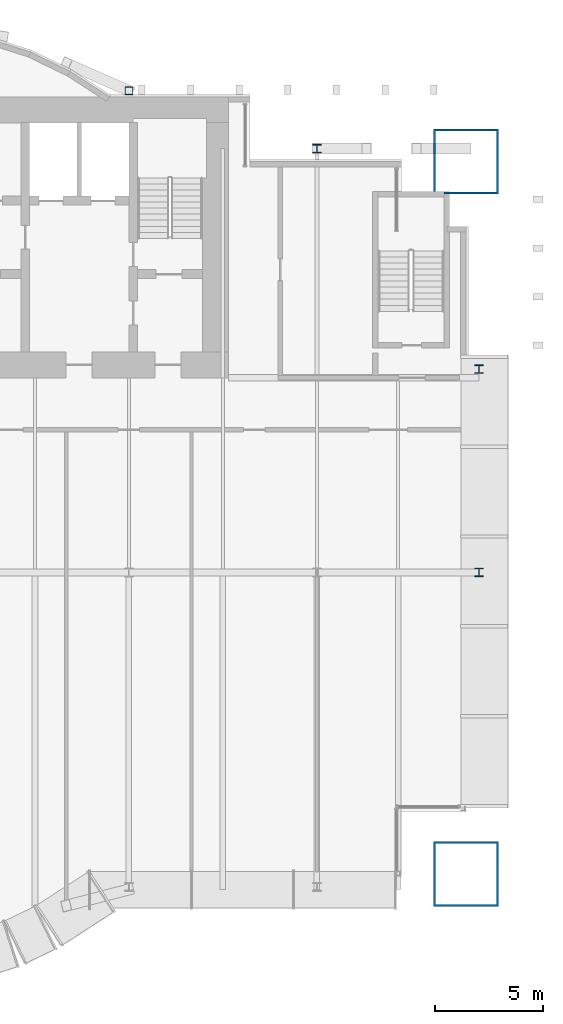
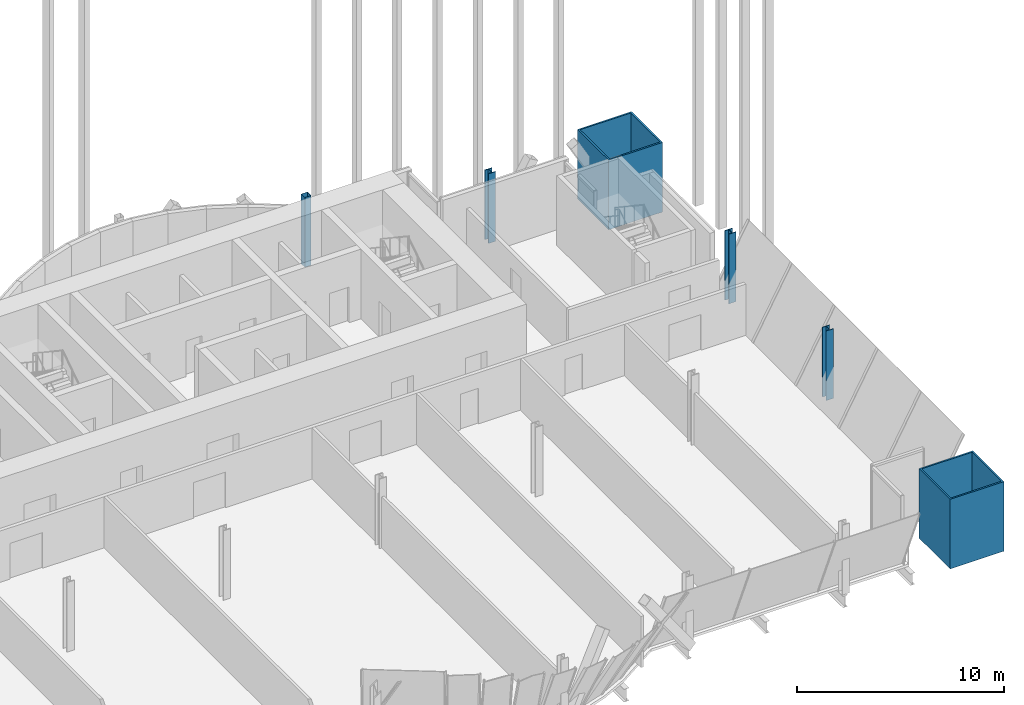
# One storey, part 3 of 22: 6 columns.
"""IFC4 building model written with IfcOpenShell, lengths in metres."""

from ifc_helpers import new_model, si_unit, direction, frame, origin, origin_2d, place, context, subcontext, project, spatial, hollow_rectangle, i_section, extrude, material, material_profile, profile_set, type_object, element, save


model = new_model("IFC4")

# Units and contexts
model_context = context("Model", 3, precision=1e-05, world=origin(), true_north=direction((0.0, 1.0)))
body_context = subcontext(model_context, "Body", "Model", "MODEL_VIEW")
ifc_project = project(units=[si_unit("LENGTHUNIT", "METRE"), si_unit("AREAUNIT", "SQUARE_METRE"), si_unit("VOLUMEUNIT", "CUBIC_METRE"), si_unit("PLANEANGLEUNIT", "RADIAN"), si_unit("MASSUNIT", "GRAM", prefix="KILO")], contexts=[model_context])

# Site, building, storey
site_placement = place(None, origin())
site = spatial("IfcSite", under=ifc_project, at=site_placement, CompositionType="ELEMENT")
building_placement = place(site_placement, origin())
building = spatial("IfcBuilding", under=site, at=building_placement, Name="Bicima Exchange Tower", CompositionType="ELEMENT")
storey_placement = place(building_placement, frame((0.0, 0.0, 89.89990234375)))
storey = spatial("IfcBuildingStorey", under=building, at=storey_placement, Name="L18", CompositionType="ELEMENT", Elevation=89.89990234375)

# Columns
ifc_material_1 = material(Name="Steel ASTM A572 Gr 50", Category="steel")
ifc_material_profile_1 = material_profile(ifc_material_1, hollow_rectangle(XDim=3.0, YDim=3.0, WallThickness=0.090087890625, at=origin_2d()))
ifc_profile_set_1 = profile_set([ifc_material_profile_1], Name="Steel ASTM A572 Gr 50")
column_type_1 = type_object("IfcColumnType", Name="Mega column BOX 3000x3000x90", PredefinedType="COLUMN", material=ifc_profile_set_1)
for number, where, z_axis, x_axis, name in (
    (1, (33.0, -35.949951171875, 0.0), (0.0, 0.0, 1.0), (1.0, 0.0, 0.0), "Mega column mega+33.0f"),
    (2, (33.0, -3.0, 0.0), (0.0, 0.0, 1.0), (1.0, 0.0, 0.0), "Mega column mega+33.0r"),
):
    element("IfcColumn", number, at=place(storey_placement, frame(where, z_axis=z_axis, x_axis=x_axis)), inside=storey, type_object=column_type_1, Name=name, PredefinedType="COLUMN", context=body_context, shape_type="SweptSolid", body=[
        extrude(hollow_rectangle(XDim=3.0, YDim=3.0, WallThickness=0.090087890625, at=origin_2d()), origin(), (0.0, 0.0, 1.0), 4.10009765625),
    ])
ifc_material_2 = material(Name="Steel ASTM A992 Gr 50", Category="steel")
ifc_material_profile_2 = material_profile(ifc_material_2, i_section(OverallWidth=0.398681640625, OverallDepth=0.393798828125, WebThickness=0.022705078125, FlangeThickness=0.03662109375, at=origin_2d()))
ifc_profile_set_2 = profile_set([ifc_material_profile_2], Name="Steel ASTM A992 Gr 50")
column_type_2 = type_object("IfcColumnType", Name="Perimeter column W14x193", PredefinedType="COLUMN", material=ifc_profile_set_2)
for number, where, z_axis, x_axis, name in (
    (3, (26.10009765625, -2.39990234375, 0.0), (0.0, 0.0, 1.0), (1.0, 0.0, 0.0), "Perimeter column grav+26.1r"),
    (4, (33.60009765625, -12.60009765625, 0.0), (0.0, 0.0, 1.0), (1.0, 0.0, 0.0), "End column end+33.6e"),
    (5, (33.60009765625, -22.0, 0.0), (0.0, 0.0, 1.0), (1.0, 0.0, 0.0), "End column end+33.6e"),
):
    element("IfcColumn", number, at=place(storey_placement, frame(where, z_axis=z_axis, x_axis=x_axis)), inside=storey, type_object=column_type_2, Name=name, PredefinedType="COLUMN", context=body_context, shape_type="SweptSolid", body=[
        extrude(i_section(OverallWidth=0.398681640625, OverallDepth=0.393798828125, WebThickness=0.022705078125, FlangeThickness=0.03662109375, at=origin_2d()), origin(), (0.0, 0.0, 1.0), 4.10009765625),
    ])
ifc_material_profile_3 = material_profile(ifc_material_1, hollow_rectangle(XDim=0.355712890625, YDim=0.355712890625, WallThickness=0.01171875, at=origin_2d()))
ifc_profile_set_3 = profile_set([ifc_material_profile_3], Name="Steel ASTM A572 Gr 50")
column_type_3 = type_object("IfcColumnType", Name="Rear pilaster HSS14x14x1/2", PredefinedType="COLUMN", material=ifc_profile_set_3)
column_placement = place(storey_placement, frame((17.39990234375, 0.278076171875, 0.0), z_axis=(0.0, 0.0, 1.0), x_axis=(1.0, 0.0, 0.0)))
element("IfcColumn", 6, at=column_placement, inside=storey, type_object=column_type_3, Name="Rear pilaster rexo+17.4r", PredefinedType="COLUMN", context=body_context, shape_type="SweptSolid", body=[
    extrude(hollow_rectangle(XDim=0.355712890625, YDim=0.355712890625, WallThickness=0.01171875, at=origin_2d()), origin(), (0.0, 0.0, 1.0), 4.10009765625),
])

save(model, "model.ifc")
